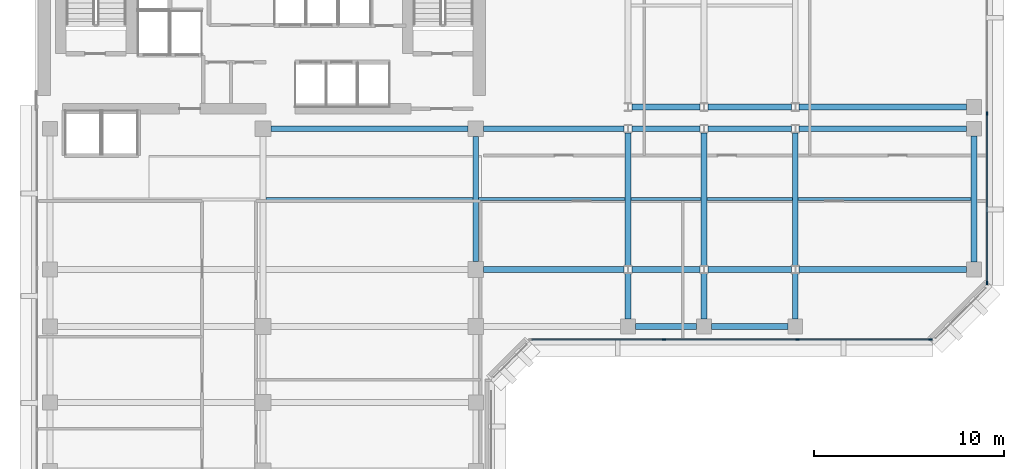
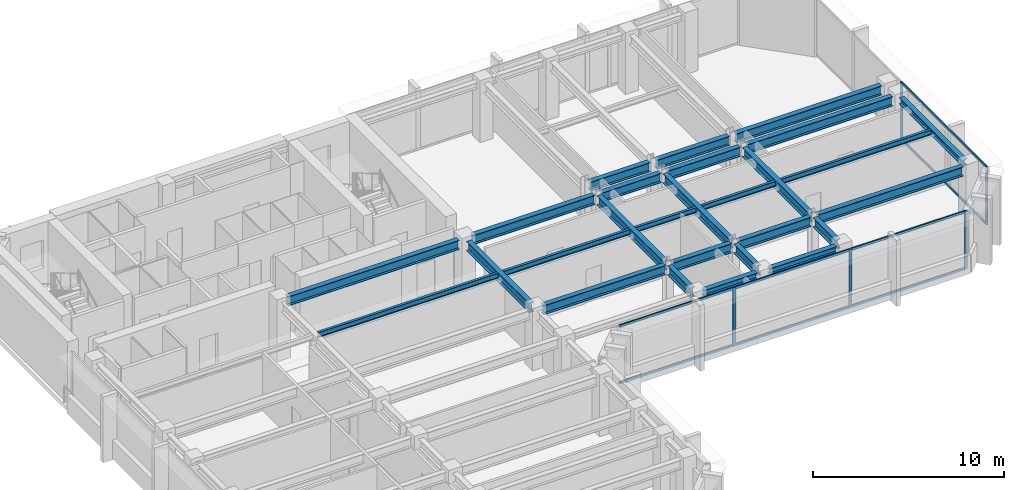
# One storey, part 3 of 12: 27 beams, 13 members, 2 elements without a shape of their own.
"""IFC4 building model written with IfcOpenShell, lengths in metres."""

from ifc_helpers import new_model, si_unit, direction, frame, origin, origin_2d, place, context, subcontext, project, spatial, rectangle, i_section, extrude, material, layer, layer_set, material_profile, profile_set, type_object, element, aggregate, save


model = new_model("IFC4")

# Units and contexts
model_context = context("Model", 3, precision=1e-05, world=origin(), true_north=direction((0.0, 1.0)))
body_context = subcontext(model_context, "Body", "Model", "MODEL_VIEW")
ifc_project = project(units=[si_unit("LENGTHUNIT", "METRE"), si_unit("AREAUNIT", "SQUARE_METRE"), si_unit("VOLUMEUNIT", "CUBIC_METRE"), si_unit("PLANEANGLEUNIT", "RADIAN"), si_unit("MASSUNIT", "GRAM", prefix="KILO")], contexts=[model_context])

# Site, building, storey
site_placement = place(None, origin())
site = spatial("IfcSite", under=ifc_project, at=site_placement, CompositionType="ELEMENT")
building_placement = place(site_placement, origin())
building = spatial("IfcBuilding", under=site, at=building_placement, Name="Kefirva Bronze Tower", CompositionType="ELEMENT")
storey_placement = place(building_placement, frame((0.0, 0.0, 199.320068359375)))
storey = spatial("IfcBuildingStorey", under=building, at=storey_placement, Name="L48", CompositionType="ELEMENT", Elevation=199.320068359375)

# Curtain wall, members
ifc_material_1 = material(Name="Bronze anodised aluminium", Category="aluminium")
ifc_layer = layer(ifc_material_1, 0.179931640625, Name="Bronze anodised aluminium")
ifc_layer_set = layer_set([ifc_layer], Name="Bronze anodised aluminium")
curtain_wall_type = type_object("IfcCurtainWallType", Name="Unitised Bronze Ribbon Curtain Wall Zone 3", PredefinedType="USERDEFINED", material=ifc_layer_set)
curtain_wall_1_placement = place(storey_placement, origin())
curtain_wall_1 = element("IfcCurtainWall", 1, at=curtain_wall_1_placement, inside=storey, type_object=curtain_wall_type, Name="L48 Curtain Wall 1", ObjectType="UNITISED CURTAIN WALL", PredefinedType="USERDEFINED")
ifc_material_profile_1 = material_profile(ifc_material_1, rectangle(XDim=0.074951171875, YDim=0.179931640625, at=origin_2d()), Name="ALU 75x180")
ifc_profile_set_1 = profile_set([ifc_material_profile_1], Name="Bronze anodised aluminium")
member_type_1 = type_object("IfcMemberType", Name="Bronze Mullion 75x180", PredefinedType="MULLION", material=ifc_profile_set_1)
member_1_placement = place(storey_placement, frame((33.0849609375, 22.1201171875, 0.0), z_axis=(0.0, 0.0, 1.0), x_axis=(0.0, 1.0, 0.0)))
member_1 = element("IfcMember", 2, at=member_1_placement, type_object=member_type_1, Name="CW-03 mullion 2", PredefinedType="MULLION", context=body_context, shape_type="SweptSolid", body=[
    extrude(rectangle(XDim=0.074951171875, YDim=0.179931640625, at=origin_2d()), origin(), (0.0, 0.0, 1.0), 3.7099609375),
])
member_2_placement = place(storey_placement, frame((40.114990234375, 22.1201171875, 0.0), z_axis=(0.0, 0.0, 1.0), x_axis=(0.0, 1.0, 0.0)))
member_2 = element("IfcMember", 3, at=member_2_placement, type_object=member_type_1, Name="CW-03 mullion 3", PredefinedType="MULLION", context=body_context, shape_type="SweptSolid", body=[
    extrude(rectangle(XDim=0.074951171875, YDim=0.179931640625, at=origin_2d()), origin(), (0.0, 0.0, 1.0), 3.7099609375),
])
member_3_placement = place(storey_placement, frame((47.107421875, 22.1201171875, 0.0), z_axis=(0.0, 0.0, 1.0), x_axis=(0.0, 1.0, 0.0)))
member_3 = element("IfcMember", 4, at=member_3_placement, type_object=member_type_1, Name="CW-03 mullion 4", PredefinedType="MULLION", context=body_context, shape_type="SweptSolid", body=[
    extrude(rectangle(XDim=0.074951171875, YDim=0.179931640625, at=origin_2d()), origin(), (0.0, 0.0, 1.0), 3.7099609375),
])

curtain_wall_2_placement = place(storey_placement, origin())
curtain_wall_2 = element("IfcCurtainWall", 5, at=curtain_wall_2_placement, inside=storey, type_object=curtain_wall_type, Name="L48 Curtain Wall 2", ObjectType="UNITISED CURTAIN WALL", PredefinedType="USERDEFINED")
member_4_placement = place(storey_placement, frame((50.080078125, 25.092529296875, 0.0), z_axis=(0.0, 0.0, 1.0), x_axis=(-1.0, 0.0, 0.0)))
member_4 = element("IfcMember", 6, at=member_4_placement, type_object=member_type_1, Name="CW-03 mullion 1", PredefinedType="MULLION", context=body_context, shape_type="SweptSolid", body=[
    extrude(rectangle(XDim=0.074951171875, YDim=0.179931640625, at=origin_2d()), origin(), (0.0, 0.0, 1.0), 3.7099609375),
])
member_5_placement = place(storey_placement, frame((50.080078125, 34.0, 0.0), z_axis=(0.0, 0.0, 1.0), x_axis=(-1.0, 0.0, 0.0)))
member_5 = element("IfcMember", 7, at=member_5_placement, type_object=member_type_1, Name="CW-03 mullion 2", PredefinedType="MULLION", context=body_context, shape_type="SweptSolid", body=[
    extrude(rectangle(XDim=0.074951171875, YDim=0.179931640625, at=origin_2d()), origin(), (0.0, 0.0, 1.0), 3.7099609375),
])

# Member
ifc_material_profile_2 = material_profile(ifc_material_1, rectangle(XDim=0.074951171875, YDim=0.14990234375, at=origin_2d()), Name="ALU 75x150")
ifc_profile_set_2 = profile_set([ifc_material_profile_2], Name="Bronze anodised aluminium")
member_type_2 = type_object("IfcMemberType", Name="Bronze Transom 75x150", PredefinedType="USERDEFINED", material=ifc_profile_set_2)
member_6_placement = place(storey_placement, frame((26.1298828125, 22.1201171875, 0.037353515625), z_axis=(1.0, 0.0, 0.0), x_axis=(0.0, 1.0, 0.0)))
member_6 = element("IfcMember", 8, at=member_6_placement, type_object=member_type_2, Name="CW-03 transom 1.1", ObjectType="TRANSOM", PredefinedType="USERDEFINED", context=body_context, shape_type="SweptSolid", body=[
    extrude(rectangle(XDim=0.074951171875, YDim=0.14990234375, at=origin_2d()), origin(), (0.0, 0.0, 1.0), 6.917724609375),
])

member_7_placement = place(storey_placement, frame((26.1298828125, 22.1201171875, 3.67236328125), z_axis=(1.0, 0.0, 0.0), x_axis=(0.0, 1.0, 0.0)))
member_7 = element("IfcMember", 9, at=member_7_placement, type_object=member_type_2, Name="CW-03 transom 1.2", ObjectType="TRANSOM", PredefinedType="USERDEFINED", context=body_context, shape_type="SweptSolid", body=[
    extrude(rectangle(XDim=0.074951171875, YDim=0.14990234375, at=origin_2d()), origin(), (0.0, 0.0, 1.0), 6.917724609375),
])

member_8_placement = place(storey_placement, frame((33.12255859375, 22.1201171875, 0.037353515625), z_axis=(1.0, 0.0, 0.0), x_axis=(0.0, 1.0, 0.0)))
member_8 = element("IfcMember", 10, at=member_8_placement, type_object=member_type_2, Name="CW-03 transom 2.1", ObjectType="TRANSOM", PredefinedType="USERDEFINED", context=body_context, shape_type="SweptSolid", body=[
    extrude(rectangle(XDim=0.074951171875, YDim=0.14990234375, at=origin_2d()), origin(), (0.0, 0.0, 1.0), 6.954833984375),
])

member_9_placement = place(storey_placement, frame((33.12255859375, 22.1201171875, 3.67236328125), z_axis=(1.0, 0.0, 0.0), x_axis=(0.0, 1.0, 0.0)))
member_9 = element("IfcMember", 11, at=member_9_placement, type_object=member_type_2, Name="CW-03 transom 2.2", ObjectType="TRANSOM", PredefinedType="USERDEFINED", context=body_context, shape_type="SweptSolid", body=[
    extrude(rectangle(XDim=0.074951171875, YDim=0.14990234375, at=origin_2d()), origin(), (0.0, 0.0, 1.0), 6.954833984375),
])

member_10_placement = place(storey_placement, frame((40.152587890625, 22.1201171875, 0.037353515625), z_axis=(1.0, 0.0, 0.0), x_axis=(0.0, 1.0, 0.0)))
member_10 = element("IfcMember", 12, at=member_10_placement, type_object=member_type_2, Name="CW-03 transom 3.1", ObjectType="TRANSOM", PredefinedType="USERDEFINED", context=body_context, shape_type="SweptSolid", body=[
    extrude(rectangle(XDim=0.074951171875, YDim=0.14990234375, at=origin_2d()), origin(), (0.0, 0.0, 1.0), 6.91748046875),
])

member_11_placement = place(storey_placement, frame((40.152587890625, 22.1201171875, 3.67236328125), z_axis=(1.0, 0.0, 0.0), x_axis=(0.0, 1.0, 0.0)))
member_11 = element("IfcMember", 13, at=member_11_placement, type_object=member_type_2, Name="CW-03 transom 3.2", ObjectType="TRANSOM", PredefinedType="USERDEFINED", context=body_context, shape_type="SweptSolid", body=[
    extrude(rectangle(XDim=0.074951171875, YDim=0.14990234375, at=origin_2d()), origin(), (0.0, 0.0, 1.0), 6.91748046875),
])

aggregate(curtain_wall_1, [member_1, member_2, member_3, member_6, member_7, member_8, member_9, member_10, member_11])

member_12_placement = place(storey_placement, frame((50.080078125, 25.1298828125, 0.037353515625), z_axis=(0.0, 1.0, 0.0), x_axis=(-1.0, 0.0, 0.0)))
member_12 = element("IfcMember", 14, at=member_12_placement, type_object=member_type_2, Name="CW-03 transom 1.1", ObjectType="TRANSOM", PredefinedType="USERDEFINED", context=body_context, shape_type="SweptSolid", body=[
    extrude(rectangle(XDim=0.074951171875, YDim=0.14990234375, at=origin_2d()), origin(), (0.0, 0.0, 1.0), 8.83251953125),
])

member_13_placement = place(storey_placement, frame((50.080078125, 25.1298828125, 3.67236328125), z_axis=(0.0, 1.0, 0.0), x_axis=(-1.0, 0.0, 0.0)))
member_13 = element("IfcMember", 15, at=member_13_placement, type_object=member_type_2, Name="CW-03 transom 1.2", ObjectType="TRANSOM", PredefinedType="USERDEFINED", context=body_context, shape_type="SweptSolid", body=[
    extrude(rectangle(XDim=0.074951171875, YDim=0.14990234375, at=origin_2d()), origin(), (0.0, 0.0, 1.0), 8.83251953125),
])

aggregate(curtain_wall_2, [member_4, member_5, member_12, member_13])

# Beams
ifc_material_2 = material(Name="Steel S355", Category="steel")
ifc_material_profile_3 = material_profile(ifc_material_2, i_section(OverallWidth=0.159912109375, OverallDepth=0.330078125, WebThickness=0.007568359375, FlangeThickness=0.011474609375, at=origin_2d()), Name="IPE 330")
ifc_profile_set_3 = profile_set([ifc_material_profile_3], Name="Steel S355")
beam_type_1 = type_object("IfcBeamType", Name="Steel Floor Joist IPE 330", PredefinedType="JOIST", material=ifc_profile_set_3)
beam_1_placement = place(storey_placement, frame((12.14990234375, 29.5, 3.544921875), z_axis=(1.0, 0.0, 0.0), x_axis=(0.0, 1.0, 0.0)))
element("IfcBeam", 16, at=beam_1_placement, inside=storey, type_object=beam_type_1, Name="L48 JST-L48-12-295", PredefinedType="JOIST", context=body_context, shape_type="SweptSolid", body=[
    extrude(i_section(OverallWidth=0.159912109375, OverallDepth=0.330078125, WebThickness=0.007568359375, FlangeThickness=0.011474609375, at=origin_2d()), origin(), (0.0, 0.0, 1.0), 10.900146484375),
])
beam_2_placement = place(storey_placement, frame((23.35009765625, 29.5, 3.544921875), z_axis=(1.0, 0.0, 0.0), x_axis=(0.0, 1.0, 0.0)))
element("IfcBeam", 17, at=beam_2_placement, inside=storey, type_object=beam_type_1, Name="L48 JST-L48-23-295", PredefinedType="JOIST", context=body_context, shape_type="SweptSolid", body=[
    extrude(i_section(OverallWidth=0.159912109375, OverallDepth=0.330078125, WebThickness=0.007568359375, FlangeThickness=0.011474609375, at=origin_2d()), origin(), (0.0, 0.0, 1.0), 7.699951171875),
])
beam_3_placement = place(storey_placement, frame((31.35009765625, 29.5, 3.544921875), z_axis=(1.0, 0.0, 0.0), x_axis=(0.0, 1.0, 0.0)))
element("IfcBeam", 18, at=beam_3_placement, inside=storey, type_object=beam_type_1, Name="L48 JST-L48-31-295", PredefinedType="JOIST", context=body_context, shape_type="SweptSolid", body=[
    extrude(i_section(OverallWidth=0.159912109375, OverallDepth=0.330078125, WebThickness=0.007568359375, FlangeThickness=0.011474609375, at=origin_2d()), origin(), (0.0, 0.0, 1.0), 3.699951171875),
])
beam_4_placement = place(storey_placement, frame((35.35009765625, 29.5, 3.544921875), z_axis=(1.0, 0.0, 0.0), x_axis=(0.0, 1.0, 0.0)))
element("IfcBeam", 19, at=beam_4_placement, inside=storey, type_object=beam_type_1, Name="L48 JST-L48-35-295", PredefinedType="JOIST", context=body_context, shape_type="SweptSolid", body=[
    extrude(i_section(OverallWidth=0.159912109375, OverallDepth=0.330078125, WebThickness=0.007568359375, FlangeThickness=0.011474609375, at=origin_2d()), origin(), (0.0, 0.0, 1.0), 4.5),
])
beam_5_placement = place(storey_placement, frame((40.14990234375, 29.5, 3.544921875), z_axis=(1.0, 0.0, 0.0), x_axis=(0.0, 1.0, 0.0)))
element("IfcBeam", 20, at=beam_5_placement, inside=storey, type_object=beam_type_1, Name="L48 JST-L48-40-295", PredefinedType="JOIST", context=body_context, shape_type="SweptSolid", body=[
    extrude(i_section(OverallWidth=0.159912109375, OverallDepth=0.330078125, WebThickness=0.007568359375, FlangeThickness=0.011474609375, at=origin_2d()), origin(), (0.0, 0.0, 1.0), 9.10009765625),
])
ifc_material_profile_4 = material_profile(ifc_material_2, i_section(OverallWidth=0.300048828125, OverallDepth=0.60009765625, WebThickness=0.015380859375, FlangeThickness=0.030029296875, at=origin_2d()), Name="HEB 600")
ifc_profile_set_4 = profile_set([ifc_material_profile_4], Name="Steel S355")
beam_type_2 = type_object("IfcBeamType", Name="Steel Girder HEB 600", PredefinedType="USERDEFINED", material=ifc_profile_set_4)
beam_6_placement = place(storey_placement, frame((23.610107421875, 25.800048828125, 3.409912109375), z_axis=(1.0, 0.0, 0.0), x_axis=(0.0, 1.0, 0.0)))
element("IfcBeam", 21, at=beam_6_placement, inside=storey, type_object=beam_type_2, Name="L48 BM-L48-EW-23-258", ObjectType="GIRDER", PredefinedType="USERDEFINED", context=body_context, shape_type="SweptSolid", body=[
    extrude(i_section(OverallWidth=0.300048828125, OverallDepth=0.60009765625, WebThickness=0.015380859375, FlangeThickness=0.030029296875, at=origin_2d()), origin(), (0.0, 0.0, 1.0), 7.3837890625),
])
beam_7_placement = place(storey_placement, frame((31.406005859375, 25.800048828125, 3.409912109375), z_axis=(1.0, 0.0, 0.0), x_axis=(0.0, 1.0, 0.0)))
element("IfcBeam", 22, at=beam_7_placement, inside=storey, type_object=beam_type_2, Name="L48 BM-L48-EW-31-258", ObjectType="GIRDER", PredefinedType="USERDEFINED", context=body_context, shape_type="SweptSolid", body=[
    extrude(i_section(OverallWidth=0.300048828125, OverallDepth=0.60009765625, WebThickness=0.015380859375, FlangeThickness=0.030029296875, at=origin_2d()), origin(), (0.0, 0.0, 1.0), 3.587890625),
])
beam_8_placement = place(storey_placement, frame((35.406005859375, 25.800048828125, 3.409912109375), z_axis=(1.0, 0.0, 0.0), x_axis=(0.0, 1.0, 0.0)))
element("IfcBeam", 23, at=beam_8_placement, inside=storey, type_object=beam_type_2, Name="L48 BM-L48-EW-35-258", ObjectType="GIRDER", PredefinedType="USERDEFINED", context=body_context, shape_type="SweptSolid", body=[
    extrude(i_section(OverallWidth=0.300048828125, OverallDepth=0.60009765625, WebThickness=0.015380859375, FlangeThickness=0.030029296875, at=origin_2d()), origin(), (0.0, 0.0, 1.0), 4.387939453125),
])
beam_9_placement = place(storey_placement, frame((40.2060546875, 25.800048828125, 3.409912109375), z_axis=(1.0, 0.0, 0.0), x_axis=(0.0, 1.0, 0.0)))
element("IfcBeam", 24, at=beam_9_placement, inside=storey, type_object=beam_type_2, Name="L48 BM-L48-EW-40-258", ObjectType="GIRDER", PredefinedType="USERDEFINED", context=body_context, shape_type="SweptSolid", body=[
    extrude(i_section(OverallWidth=0.300048828125, OverallDepth=0.60009765625, WebThickness=0.015380859375, FlangeThickness=0.030029296875, at=origin_2d()), origin(), (0.0, 0.0, 1.0), 8.803955078125),
])
beam_10_placement = place(storey_placement, frame((12.409912109375, 33.199951171875, 3.409912109375), z_axis=(1.0, 0.0, 0.0), x_axis=(0.0, 1.0, 0.0)))
element("IfcBeam", 25, at=beam_10_placement, inside=storey, type_object=beam_type_2, Name="L48 BM-L48-EW-12-332", ObjectType="GIRDER", PredefinedType="USERDEFINED", context=body_context, shape_type="SweptSolid", body=[
    extrude(i_section(OverallWidth=0.300048828125, OverallDepth=0.60009765625, WebThickness=0.015380859375, FlangeThickness=0.030029296875, at=origin_2d()), origin(), (0.0, 0.0, 1.0), 10.380126953125),
])
beam_11_placement = place(storey_placement, frame((23.610107421875, 33.199951171875, 3.409912109375), z_axis=(1.0, 0.0, 0.0), x_axis=(0.0, 1.0, 0.0)))
element("IfcBeam", 26, at=beam_11_placement, inside=storey, type_object=beam_type_2, Name="L48 BM-L48-EW-23-332", ObjectType="GIRDER", PredefinedType="USERDEFINED", context=body_context, shape_type="SweptSolid", body=[
    extrude(i_section(OverallWidth=0.300048828125, OverallDepth=0.60009765625, WebThickness=0.015380859375, FlangeThickness=0.030029296875, at=origin_2d()), origin(), (0.0, 0.0, 1.0), 7.3837890625),
])
beam_12_placement = place(storey_placement, frame((31.406005859375, 33.199951171875, 3.409912109375), z_axis=(1.0, 0.0, 0.0), x_axis=(0.0, 1.0, 0.0)))
element("IfcBeam", 27, at=beam_12_placement, inside=storey, type_object=beam_type_2, Name="L48 BM-L48-EW-31-332", ObjectType="GIRDER", PredefinedType="USERDEFINED", context=body_context, shape_type="SweptSolid", body=[
    extrude(i_section(OverallWidth=0.300048828125, OverallDepth=0.60009765625, WebThickness=0.015380859375, FlangeThickness=0.030029296875, at=origin_2d()), origin(), (0.0, 0.0, 1.0), 3.587890625),
])
beam_13_placement = place(storey_placement, frame((35.406005859375, 33.199951171875, 3.409912109375), z_axis=(1.0, 0.0, 0.0), x_axis=(0.0, 1.0, 0.0)))
element("IfcBeam", 28, at=beam_13_placement, inside=storey, type_object=beam_type_2, Name="L48 BM-L48-EW-35-332", ObjectType="GIRDER", PredefinedType="USERDEFINED", context=body_context, shape_type="SweptSolid", body=[
    extrude(i_section(OverallWidth=0.300048828125, OverallDepth=0.60009765625, WebThickness=0.015380859375, FlangeThickness=0.030029296875, at=origin_2d()), origin(), (0.0, 0.0, 1.0), 4.387939453125),
])
beam_14_placement = place(storey_placement, frame((40.2060546875, 33.199951171875, 3.409912109375), z_axis=(1.0, 0.0, 0.0), x_axis=(0.0, 1.0, 0.0)))
element("IfcBeam", 29, at=beam_14_placement, inside=storey, type_object=beam_type_2, Name="L48 BM-L48-EW-40-332", ObjectType="GIRDER", PredefinedType="USERDEFINED", context=body_context, shape_type="SweptSolid", body=[
    extrude(i_section(OverallWidth=0.300048828125, OverallDepth=0.60009765625, WebThickness=0.015380859375, FlangeThickness=0.030029296875, at=origin_2d()), origin(), (0.0, 0.0, 1.0), 8.803955078125),
])
beam_15_placement = place(storey_placement, frame((31.406005859375, 34.35009765625, 3.409912109375), z_axis=(1.0, 0.0, 0.0), x_axis=(0.0, 1.0, 0.0)))
element("IfcBeam", 30, at=beam_15_placement, inside=storey, type_object=beam_type_2, Name="L48 BM-L48-EW-31-344", ObjectType="GIRDER", PredefinedType="USERDEFINED", context=body_context, shape_type="SweptSolid", body=[
    extrude(i_section(OverallWidth=0.300048828125, OverallDepth=0.60009765625, WebThickness=0.015380859375, FlangeThickness=0.030029296875, at=origin_2d()), origin(), (0.0, 0.0, 1.0), 3.587890625),
])
beam_16_placement = place(storey_placement, frame((35.406005859375, 34.35009765625, 3.409912109375), z_axis=(1.0, 0.0, 0.0), x_axis=(0.0, 1.0, 0.0)))
element("IfcBeam", 31, at=beam_16_placement, inside=storey, type_object=beam_type_2, Name="L48 BM-L48-EW-35-344", ObjectType="GIRDER", PredefinedType="USERDEFINED", context=body_context, shape_type="SweptSolid", body=[
    extrude(i_section(OverallWidth=0.300048828125, OverallDepth=0.60009765625, WebThickness=0.015380859375, FlangeThickness=0.030029296875, at=origin_2d()), origin(), (0.0, 0.0, 1.0), 4.387939453125),
])
beam_17_placement = place(storey_placement, frame((40.2060546875, 34.35009765625, 3.409912109375), z_axis=(1.0, 0.0, 0.0), x_axis=(0.0, 1.0, 0.0)))
element("IfcBeam", 32, at=beam_17_placement, inside=storey, type_object=beam_type_2, Name="L48 BM-L48-EW-40-344", ObjectType="GIRDER", PredefinedType="USERDEFINED", context=body_context, shape_type="SweptSolid", body=[
    extrude(i_section(OverallWidth=0.300048828125, OverallDepth=0.60009765625, WebThickness=0.015380859375, FlangeThickness=0.030029296875, at=origin_2d()), origin(), (0.0, 0.0, 1.0), 8.803955078125),
])
beam_18_placement = place(storey_placement, frame((23.199951171875, 26.2099609375, 3.409912109375), z_axis=(0.0, 1.0, 0.0), x_axis=(-1.0, 0.0, 0.0)))
element("IfcBeam", 33, at=beam_18_placement, inside=storey, type_object=beam_type_2, Name="L48 BM-L48-NS-232-25", ObjectType="GIRDER", PredefinedType="USERDEFINED", context=body_context, shape_type="SweptSolid", body=[
    extrude(i_section(OverallWidth=0.300048828125, OverallDepth=0.60009765625, WebThickness=0.015380859375, FlangeThickness=0.030029296875, at=origin_2d()), origin(), (0.0, 0.0, 1.0), 6.580078125),
])
beam_19_placement = place(storey_placement, frame((31.199951171875, 23.18994140625, 3.409912109375), z_axis=(0.0, 1.0, 0.0), x_axis=(-1.0, 0.0, 0.0)))
element("IfcBeam", 34, at=beam_19_placement, inside=storey, type_object=beam_type_2, Name="L48 BM-L48-NS-312-22", ObjectType="GIRDER", PredefinedType="USERDEFINED", context=body_context, shape_type="SweptSolid", body=[
    extrude(i_section(OverallWidth=0.300048828125, OverallDepth=0.60009765625, WebThickness=0.015380859375, FlangeThickness=0.030029296875, at=origin_2d()), origin(), (0.0, 0.0, 1.0), 2.392578125),
])
beam_20_placement = place(storey_placement, frame((31.199951171875, 26.017578125, 3.409912109375), z_axis=(0.0, 1.0, 0.0), x_axis=(-1.0, 0.0, 0.0)))
element("IfcBeam", 35, at=beam_20_placement, inside=storey, type_object=beam_type_2, Name="L48 BM-L48-NS-312-25", ObjectType="GIRDER", PredefinedType="USERDEFINED", context=body_context, shape_type="SweptSolid", body=[
    extrude(i_section(OverallWidth=0.300048828125, OverallDepth=0.60009765625, WebThickness=0.015380859375, FlangeThickness=0.030029296875, at=origin_2d()), origin(), (0.0, 0.0, 1.0), 6.96484375),
])
beam_21_placement = place(storey_placement, frame((35.199951171875, 23.18994140625, 3.409912109375), z_axis=(0.0, 1.0, 0.0), x_axis=(-1.0, 0.0, 0.0)))
element("IfcBeam", 36, at=beam_21_placement, inside=storey, type_object=beam_type_2, Name="L48 BM-L48-NS-352-22", ObjectType="GIRDER", PredefinedType="USERDEFINED", context=body_context, shape_type="SweptSolid", body=[
    extrude(i_section(OverallWidth=0.300048828125, OverallDepth=0.60009765625, WebThickness=0.015380859375, FlangeThickness=0.030029296875, at=origin_2d()), origin(), (0.0, 0.0, 1.0), 2.392578125),
])
beam_22_placement = place(storey_placement, frame((35.199951171875, 26.017578125, 3.409912109375), z_axis=(0.0, 1.0, 0.0), x_axis=(-1.0, 0.0, 0.0)))
element("IfcBeam", 37, at=beam_22_placement, inside=storey, type_object=beam_type_2, Name="L48 BM-L48-NS-352-25", ObjectType="GIRDER", PredefinedType="USERDEFINED", context=body_context, shape_type="SweptSolid", body=[
    extrude(i_section(OverallWidth=0.300048828125, OverallDepth=0.60009765625, WebThickness=0.015380859375, FlangeThickness=0.030029296875, at=origin_2d()), origin(), (0.0, 0.0, 1.0), 6.96484375),
])
beam_23_placement = place(storey_placement, frame((40.0, 23.18994140625, 3.409912109375), z_axis=(0.0, 1.0, 0.0), x_axis=(-1.0, 0.0, 0.0)))
element("IfcBeam", 38, at=beam_23_placement, inside=storey, type_object=beam_type_2, Name="L48 BM-L48-NS-400-22", ObjectType="GIRDER", PredefinedType="USERDEFINED", context=body_context, shape_type="SweptSolid", body=[
    extrude(i_section(OverallWidth=0.300048828125, OverallDepth=0.60009765625, WebThickness=0.015380859375, FlangeThickness=0.030029296875, at=origin_2d()), origin(), (0.0, 0.0, 1.0), 2.392578125),
])
beam_24_placement = place(storey_placement, frame((40.0, 26.017578125, 3.409912109375), z_axis=(0.0, 1.0, 0.0), x_axis=(-1.0, 0.0, 0.0)))
element("IfcBeam", 39, at=beam_24_placement, inside=storey, type_object=beam_type_2, Name="L48 BM-L48-NS-400-25", ObjectType="GIRDER", PredefinedType="USERDEFINED", context=body_context, shape_type="SweptSolid", body=[
    extrude(i_section(OverallWidth=0.300048828125, OverallDepth=0.60009765625, WebThickness=0.015380859375, FlangeThickness=0.030029296875, at=origin_2d()), origin(), (0.0, 0.0, 1.0), 6.96484375),
])
ifc_material_profile_5 = material_profile(ifc_material_2, i_section(OverallWidth=0.300048828125, OverallDepth=0.39990234375, WebThickness=0.013427734375, FlangeThickness=0.02392578125, at=origin_2d()), Name="HEB 400")
ifc_profile_set_5 = profile_set([ifc_material_profile_5], Name="Steel S355")
beam_type_3 = type_object("IfcBeamType", Name="Steel Spandrel HEB 400 Ext", PredefinedType="SPANDREL", material=ifc_profile_set_5)
beam_25_placement = place(storey_placement, frame((31.590087890625, 22.800048828125, 3.510009765625), z_axis=(1.0, 0.0, 0.0), x_axis=(0.0, 1.0, 0.0)))
element("IfcBeam", 40, at=beam_25_placement, inside=storey, type_object=beam_type_3, Name="L48 BM-L48-EW-31-228", PredefinedType="SPANDREL", context=body_context, shape_type="SweptSolid", body=[
    extrude(i_section(OverallWidth=0.300048828125, OverallDepth=0.39990234375, WebThickness=0.013427734375, FlangeThickness=0.02392578125, at=origin_2d()), origin(), (0.0, 0.0, 1.0), 3.219970703125),
])
beam_26_placement = place(storey_placement, frame((35.590087890625, 22.800048828125, 3.510009765625), z_axis=(1.0, 0.0, 0.0), x_axis=(0.0, 1.0, 0.0)))
element("IfcBeam", 41, at=beam_26_placement, inside=storey, type_object=beam_type_3, Name="L48 BM-L48-EW-35-228", PredefinedType="SPANDREL", context=body_context, shape_type="SweptSolid", body=[
    extrude(i_section(OverallWidth=0.300048828125, OverallDepth=0.39990234375, WebThickness=0.013427734375, FlangeThickness=0.02392578125, at=origin_2d()), origin(), (0.0, 0.0, 1.0), 4.02001953125),
])
beam_27_placement = place(storey_placement, frame((49.39990234375, 26.18994140625, 3.510009765625), z_axis=(0.0, 1.0, 0.0), x_axis=(-1.0, 0.0, 0.0)))
element("IfcBeam", 42, at=beam_27_placement, inside=storey, type_object=beam_type_3, Name="L48 BM-L48-NS-494-25", PredefinedType="SPANDREL", context=body_context, shape_type="SweptSolid", body=[
    extrude(i_section(OverallWidth=0.300048828125, OverallDepth=0.39990234375, WebThickness=0.013427734375, FlangeThickness=0.02392578125, at=origin_2d()), origin(), (0.0, 0.0, 1.0), 6.6201171875),
])

save(model, "model.ifc")
